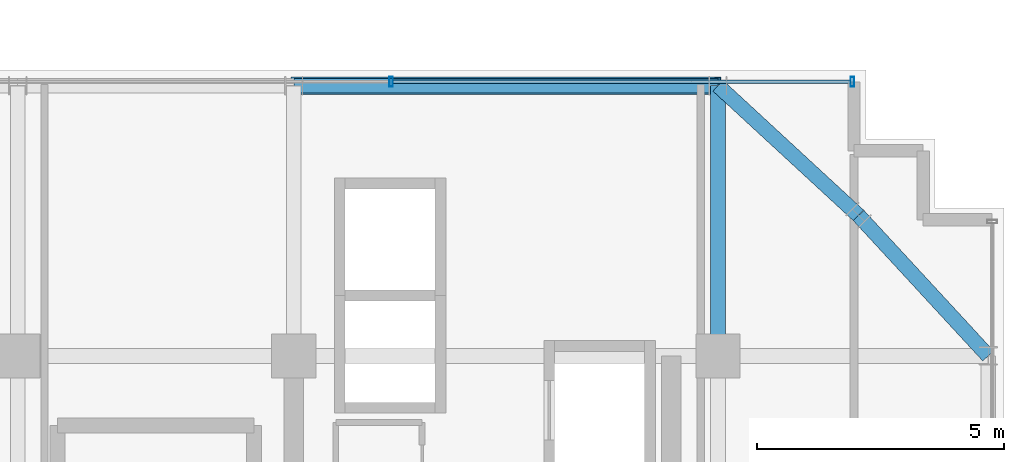
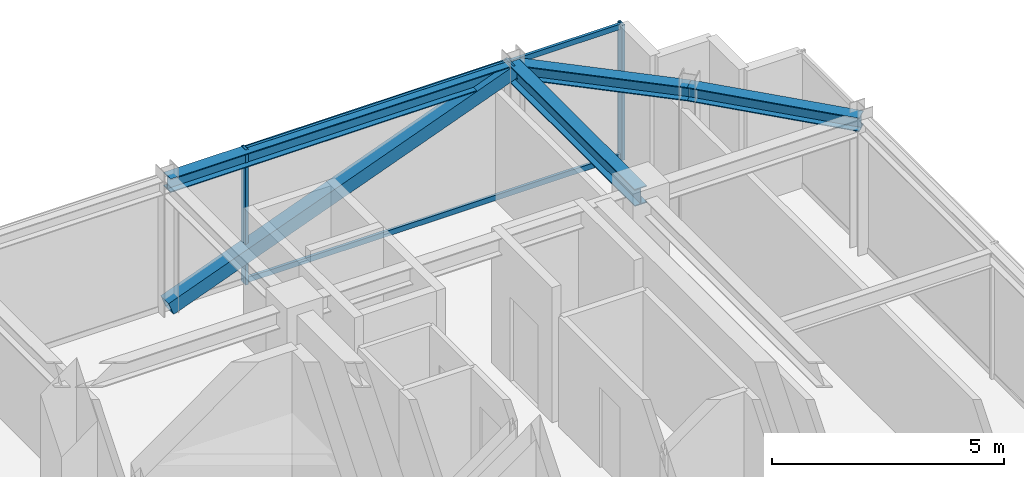
# One storey, part 30 of 40: 5 members, 4 beams, 1 element without a shape of its own.
"""IFC4 building model written with IfcOpenShell, lengths in metres."""

from ifc_helpers import new_model, si_unit, direction, frame, origin, origin_2d, place, context, subcontext, project, spatial, hollow_rectangle, i_section, extrude, source, transform, mapped, material, material_profile, profile_set, type_object, element, aggregate, save


model = new_model("IFC4")

# Units and contexts
model_context = context("Model", 3, precision=1e-05, world=origin(), true_north=direction((0.0, 1.0)))
body_context = subcontext(model_context, "Body", "Model", "MODEL_VIEW")
ifc_project = project(units=[si_unit("LENGTHUNIT", "METRE"), si_unit("AREAUNIT", "SQUARE_METRE"), si_unit("VOLUMEUNIT", "CUBIC_METRE"), si_unit("PLANEANGLEUNIT", "RADIAN"), si_unit("MASSUNIT", "GRAM", prefix="KILO")], contexts=[model_context])

# Site, building, storey
site_placement = place(None, origin())
site = spatial("IfcSite", under=ifc_project, at=site_placement, CompositionType="ELEMENT")
building_placement = place(site_placement, origin())
building = spatial("IfcBuilding", under=site, at=building_placement, Name="Nahalor Promenade Grand Hotel", CompositionType="ELEMENT")
storey_placement = place(building_placement, frame((0.0, 0.0, 288.800048828125)))
storey = spatial("IfcBuildingStorey", under=building, at=storey_placement, Name="L74", CompositionType="ELEMENT", Elevation=288.800048828125)

# Beams
ifc_material_1 = material(Name="Steel S355JR", Category="steel")
ifc_material_profile_1 = material_profile(ifc_material_1, i_section(OverallWidth=0.3, OverallDepth=0.45, WebThickness=0.014, FlangeThickness=0.026, at=origin_2d()), Name="HEB 450")
ifc_profile_set_1 = profile_set([ifc_material_profile_1], Name="Steel S355JR")
beam_type_1 = type_object("IfcBeamType", Name="Beam-Girder-HEB450", PredefinedType="BEAM", material=ifc_profile_set_1)
shared_shape_1 = source(origin(), body_context, "Body", "SweptSolid", [
    extrude(i_section(OverallWidth=0.3, OverallDepth=0.45, WebThickness=0.014, FlangeThickness=0.026, at=origin_2d()), origin(), (0.0, 0.0, 1.0), 5.47998046875),
])
beam_1_placement = place(storey_placement, frame((17.0, 17.0, 3.324951171875), z_axis=(0.0, 1.0, 0.0), x_axis=(-1.0, 0.0, 0.0)))
element("IfcBeam", 1, at=beam_1_placement, inside=storey, type_object=beam_type_1, Name="BM-L74-GY-5-4", PredefinedType="BEAM", context=body_context, shape_type="MappedRepresentation", body=[
    mapped(shared_shape_1, transform((0.0, 0.0, 0.0), scale=1.0)),
])
ifc_material_profile_2 = material_profile(ifc_material_1, i_section(OverallWidth=0.3, OverallDepth=0.36, WebThickness=0.0125, FlangeThickness=0.0225, at=origin_2d()), Name="HEB 360")
ifc_profile_set_2 = profile_set([ifc_material_profile_2], Name="Steel S355JR")
beam_type_2 = type_object("IfcBeamType", Name="Beam-Spandrel-HEB360", PredefinedType="SPANDREL", material=ifc_profile_set_2)
shared_shape_2 = source(origin(), body_context, "Body", "SweptSolid", [
    extrude(i_section(OverallWidth=0.3, OverallDepth=0.36, WebThickness=0.0125, FlangeThickness=0.0225, at=origin_2d()), origin(), (0.0, 0.0, 1.0), 8.60009765625),
])
beam_2_placement = place(storey_placement, frame((8.39990234375, 22.47998046875, 3.369873046875), z_axis=(1.0, 0.0, 0.0), x_axis=(0.0, 1.0, 0.0)))
element("IfcBeam", 2, at=beam_2_placement, inside=storey, type_object=beam_type_2, Name="BM-L74-SP-N-4", PredefinedType="SPANDREL", context=body_context, shape_type="MappedRepresentation", body=[
    mapped(shared_shape_2, transform((0.0, 0.0, 0.0), scale=1.0)),
])
shared_shape_3 = source(origin(), body_context, "Body", "SweptSolid", [
    extrude(i_section(OverallWidth=0.3, OverallDepth=0.36, WebThickness=0.0125, FlangeThickness=0.0225, at=origin_2d()), origin(), (0.0, 0.0, 1.0), 3.878173828125),
])
for number, where, z_axis, x_axis, name in (
    (3, (17.0, 22.47998046875, 3.369873046875), (0.73492893846, -0.678144125843, 0.0), (0.678144125843, 0.73492893846, 0.0), "BM-L74-SPC-NE-1"),
    (4, (19.85009765625, 19.85009765625, 3.369873046875), (0.678144125843, -0.73492893846, 0.0), (0.73492893846, 0.678144125843, 0.0), "BM-L74-SPC-NE-2"),
):
    element("IfcBeam", number, at=place(storey_placement, frame(where, z_axis=z_axis, x_axis=x_axis)), inside=storey, type_object=beam_type_2, Name=name, PredefinedType="SPANDREL", context=body_context, shape_type="MappedRepresentation", body=[
        mapped(shared_shape_3, transform((0.0, 0.0, 0.0), scale=1.0)),
    ])

# Member
ifc_material_profile_3 = material_profile(ifc_material_1, hollow_rectangle(XDim=0.35, YDim=0.35, WallThickness=0.02, at=origin_2d()), Name="SHS 350x350x20")
ifc_profile_set_3 = profile_set([ifc_material_profile_3], Name="Steel S355JR")
member_type_1 = type_object("IfcMemberType", Name="Mem-VoidBrace-SHS350", PredefinedType="BRACE", material=ifc_profile_set_3)
shared_shape_4 = source(origin(), body_context, "Body", "SweptSolid", [
    extrude(hollow_rectangle(XDim=0.35, YDim=0.35, WallThickness=0.02, at=origin_2d()), origin(), (0.0, 0.0, 1.0), 9.193603515625),
])
member_1_placement = place(storey_placement, frame((8.39990234375, 22.47998046875, 0.14990234375), z_axis=(0.935433460247, 0.0, 0.353502816749), x_axis=(0.0, 1.0, 0.0)))
element("IfcMember", 5, at=member_1_placement, inside=storey, type_object=member_type_1, Name="EXO-L74-N-1", PredefinedType="BRACE", context=body_context, shape_type="MappedRepresentation", body=[
    mapped(shared_shape_4, transform((0.0, 0.0, 0.0), scale=1.0)),
])

# Curtain wall, members
ifc_material_2 = material(Name="Anodised Bronze Aluminium EN AW-6063 T6", Category="aluminium")
curtain_wall_type = type_object("IfcCurtainWallType", Name="CW3 Elliptical-Void Collar Unitised Curtain Wall", PredefinedType="USERDEFINED", material=ifc_material_2)
curtain_wall_placement = place(storey_placement, origin())
curtain_wall = element("IfcCurtainWall", 6, at=curtain_wall_placement, inside=storey, type_object=curtain_wall_type, Name="L74 Curtain Wall CW-L74-N-3", ObjectType="UNITISED_CURTAIN_WALL", PredefinedType="USERDEFINED")
ifc_material_profile_4 = material_profile(ifc_material_2, hollow_rectangle(XDim=0.07, YDim=0.14, WallThickness=0.004, at=origin_2d()), Name="CWT 70x140x4")
ifc_profile_set_4 = profile_set([ifc_material_profile_4], Name="Anodised Bronze Aluminium EN AW-6063 T6")
member_type_2 = type_object("IfcMemberType", Name="CWT3 Void Collar Transom 70x140", PredefinedType="USERDEFINED", material=ifc_profile_set_4)
shared_shape_5 = source(origin(), body_context, "Body", "SweptSolid", [
    extrude(hollow_rectangle(XDim=0.07, YDim=0.14, WallThickness=0.004, at=origin_2d()), origin(), (0.0, 0.0, 1.0), 9.281494140625),
])
member_2_placement = place(storey_placement, frame((10.408447265625, 22.56005859375, 0.070068359375), z_axis=(1.0, 0.0, 0.0), x_axis=(0.0, 1.0, 0.0)))
member_2 = element("IfcMember", 7, at=member_2_placement, type_object=member_type_2, Name="CW-L74-N-3 Transom 2-0", ObjectType="TRANSOM", PredefinedType="USERDEFINED", context=body_context, shape_type="MappedRepresentation", body=[
    mapped(shared_shape_5, transform((0.0, 0.0, 0.0), scale=1.0)),
])
member_3_placement = place(storey_placement, frame((10.408447265625, 22.56005859375, 3.47998046875), z_axis=(1.0, 0.0, 0.0), x_axis=(0.0, 1.0, 0.0)))
member_3 = element("IfcMember", 8, at=member_3_placement, type_object=member_type_2, Name="CW-L74-N-3 Transom 2-1", ObjectType="TRANSOM", PredefinedType="USERDEFINED", context=body_context, shape_type="MappedRepresentation", body=[
    mapped(shared_shape_5, transform((0.0, 0.0, 0.0), scale=1.0)),
])
ifc_material_profile_5 = material_profile(ifc_material_2, hollow_rectangle(XDim=0.07, YDim=0.2, WallThickness=0.005, at=origin_2d()), Name="CWM 70x200x5")
ifc_profile_set_5 = profile_set([ifc_material_profile_5], Name="Anodised Bronze Aluminium EN AW-6063 T6")
member_type_3 = type_object("IfcMemberType", Name="CWM3 Void Collar Mullion 70x200", PredefinedType="MULLION", material=ifc_profile_set_5)
shared_shape_6 = source(origin(), body_context, "Body", "SweptSolid", [
    extrude(hollow_rectangle(XDim=0.07, YDim=0.2, WallThickness=0.005, at=origin_2d()), origin(), (0.0, 0.0, 1.0), 3.550048828125),
])
member_4_placement = place(storey_placement, frame((10.373291015625, 22.56005859375, 0.0), z_axis=(0.0, 0.0, 1.0), x_axis=(1.0, 0.0, 0.0)))
member_4 = element("IfcMember", 9, at=member_4_placement, type_object=member_type_3, Name="CW-L74-N-3 Mullion 2", PredefinedType="MULLION", context=body_context, shape_type="MappedRepresentation", body=[
    mapped(shared_shape_6, transform((0.0, 0.0, 0.0), scale=1.0)),
])
member_5_placement = place(storey_placement, frame((19.72509765625, 22.56005859375, 0.0), z_axis=(0.0, 0.0, 1.0), x_axis=(1.0, 0.0, 0.0)))
member_5 = element("IfcMember", 10, at=member_5_placement, type_object=member_type_3, Name="CW-L74-N-3 Mullion 3", PredefinedType="MULLION", context=body_context, shape_type="MappedRepresentation", body=[
    mapped(shared_shape_6, transform((0.0, 0.0, 0.0), scale=1.0)),
])
aggregate(curtain_wall, [member_4, member_5, member_2, member_3])

save(model, "model.ifc")
